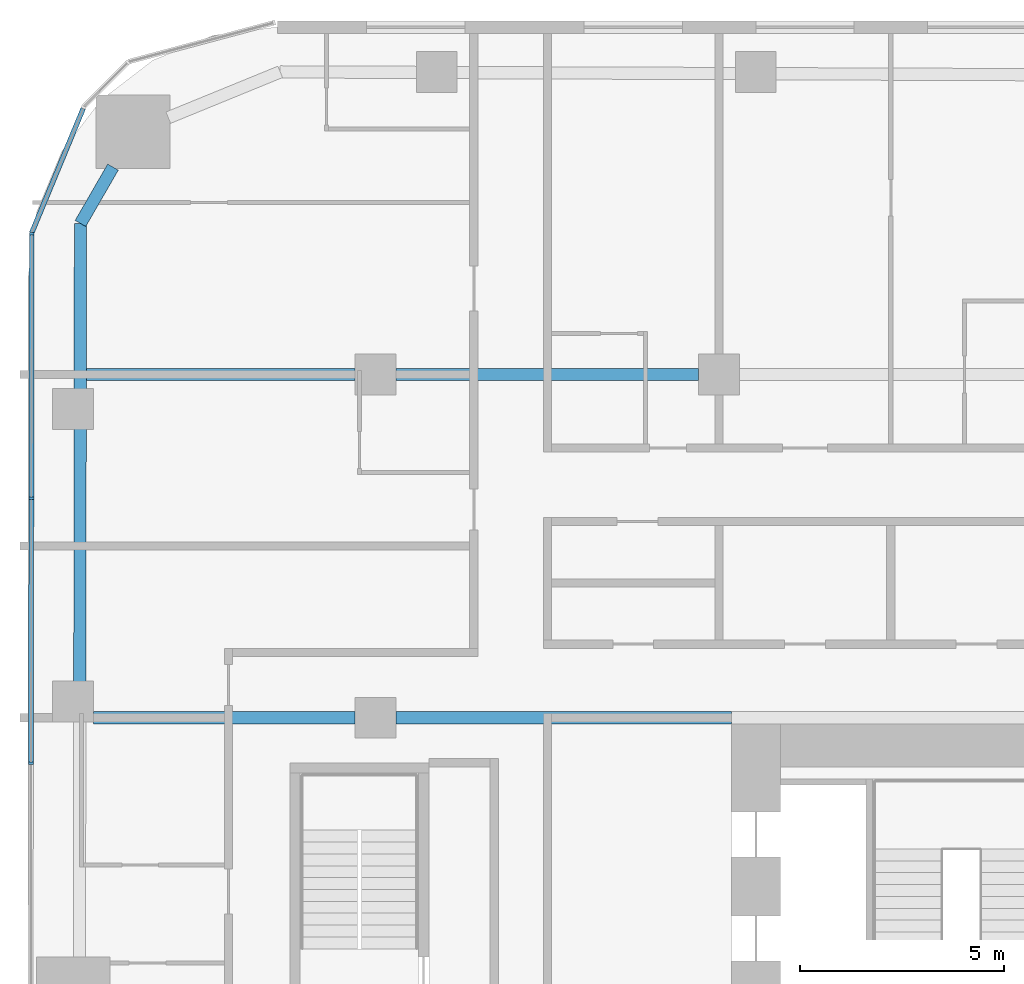
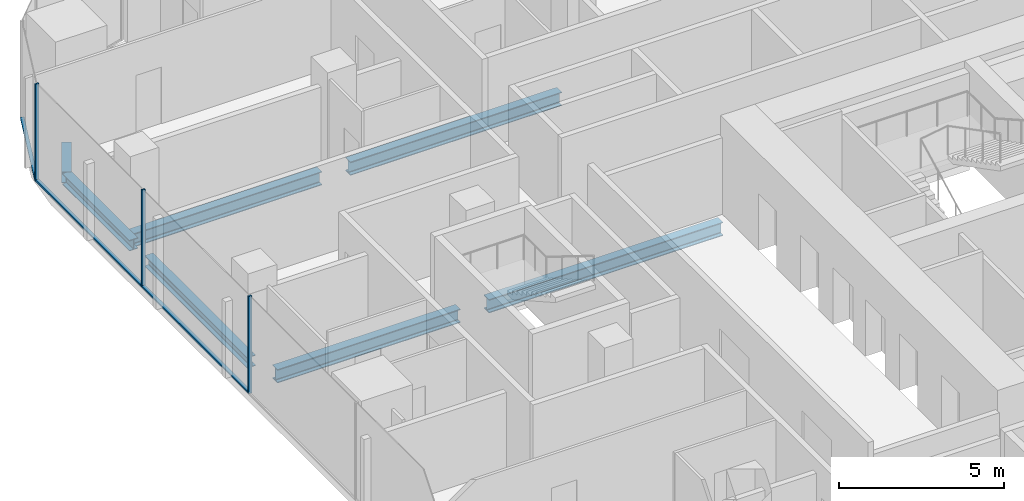
# One storey, part 8 of 26: 7 beams, 6 members, 2 elements without a shape of their own.
"""IFC4 building model written with IfcOpenShell, lengths in metres."""

from ifc_helpers import new_model, si_unit, direction, frame, origin, origin_2d, place, context, subcontext, project, spatial, rectangle, i_section, extrude, material, layer, layer_set, material_profile, profile_set, type_object, element, aggregate, save


model = new_model("IFC4")

# Units and contexts
model_context = context("Model", 3, precision=1e-05, world=origin(), true_north=direction((0.0, 1.0)))
body_context = subcontext(model_context, "Body", "Model", "MODEL_VIEW")
ifc_project = project(units=[si_unit("LENGTHUNIT", "METRE"), si_unit("AREAUNIT", "SQUARE_METRE"), si_unit("VOLUMEUNIT", "CUBIC_METRE"), si_unit("PLANEANGLEUNIT", "RADIAN"), si_unit("MASSUNIT", "GRAM", prefix="KILO")], contexts=[model_context])

# Site, building, storey
site_placement = place(None, origin())
site = spatial("IfcSite", under=ifc_project, at=site_placement, CompositionType="ELEMENT")
building_placement = place(site_placement, origin())
building = spatial("IfcBuilding", under=site, at=building_placement, Name="Marenta Gate Hotel Tower", CompositionType="ELEMENT")
storey_placement = place(building_placement, frame((0.0, 0.0, 72.5)))
storey = spatial("IfcBuildingStorey", under=building, at=storey_placement, Name="L16", CompositionType="ELEMENT", Elevation=72.5)

# Beams
ifc_material_1 = material(Name="Steel S355", Category="steel")
ifc_material_profile_1 = material_profile(ifc_material_1, i_section(OverallWidth=0.300048828125, OverallDepth=0.39990234375, WebThickness=0.013427734375, FlangeThickness=0.02392578125, FilletRadius=0.027099609375, at=origin_2d()), Name="HEB 400")
ifc_profile_set_1 = profile_set([ifc_material_profile_1], Name="Steel S355")
beam_type_1 = type_object("IfcBeamType", Name="Edge beam HEB 400", PredefinedType="SPANDREL", material=ifc_profile_set_1)
beam_1_placement = place(storey_placement, frame((-28.23681640625, 17.6630859375, -0.4599609375), z_axis=(0.001370827476, 0.999999060416, 0.0), x_axis=(-0.999999060416, 0.001370827476, 0.0)))
element("IfcBeam", 1, at=beam_1_placement, inside=storey, type_object=beam_type_1, Name="L16-EB-9", PredefinedType="SPANDREL", context=body_context, shape_type="SweptSolid", body=[
    extrude(i_section(OverallWidth=0.300048828125, OverallDepth=0.39990234375, WebThickness=0.013427734375, FlangeThickness=0.02392578125, FilletRadius=0.027099609375, at=origin_2d()), origin(), (0.0, 0.0, 1.0), 6.2333984375),
])
beam_2_placement = place(storey_placement, frame((-28.22705078125, 24.81640625, -0.4599609375), z_axis=(0.001377821732, 0.999999050803, 0.0), x_axis=(-0.999999050803, 0.001377821732, 0.0)))
element("IfcBeam", 2, at=beam_2_placement, inside=storey, type_object=beam_type_1, Name="L16-EB-10", PredefinedType="SPANDREL", context=body_context, shape_type="SweptSolid", body=[
    extrude(i_section(OverallWidth=0.300048828125, OverallDepth=0.39990234375, WebThickness=0.013427734375, FlangeThickness=0.02392578125, FilletRadius=0.027099609375, at=origin_2d()), origin(), (0.0, 0.0, 1.0), 4.075439453125),
])
beam_3_placement = place(storey_placement, frame((-28.221435546875, 28.891845703125, -0.4599609375), z_axis=(0.500098681536, 0.865968422476, 0.0), x_axis=(-0.865968422476, 0.500098681536, 0.0)))
element("IfcBeam", 3, at=beam_3_placement, inside=storey, type_object=beam_type_1, Name="L16-EB-11", PredefinedType="SPANDREL", context=body_context, shape_type="SweptSolid", body=[
    extrude(i_section(OverallWidth=0.300048828125, OverallDepth=0.39990234375, WebThickness=0.013427734375, FlangeThickness=0.02392578125, FilletRadius=0.027099609375, at=origin_2d()), origin(), (0.0, 0.0, 1.0), 1.591552734375),
])
ifc_material_2 = material(Name="Steel S355", Category="steel")
ifc_material_profile_2 = material_profile(ifc_material_2, i_section(OverallWidth=0.300048828125, OverallDepth=0.5, WebThickness=0.014404296875, FlangeThickness=0.028076171875, FilletRadius=0.027099609375, at=origin_2d()), Name="HEB 500")
ifc_profile_set_2 = profile_set([ifc_material_profile_2], Name="Steel S355")
beam_type_2 = type_object("IfcBeamType", Name="Girder HEB 500", PredefinedType="BEAM", material=ifc_profile_set_2)
beam_4_placement = place(storey_placement, frame((-27.89990234375, 16.800048828125, -0.510009765625), z_axis=(1.0, 0.0, 0.0), x_axis=(0.0, 1.0, 0.0)))
element("IfcBeam", 4, at=beam_4_placement, inside=storey, type_object=beam_type_2, Name="L16-GD-17", PredefinedType="BEAM", context=body_context, shape_type="SweptSolid", body=[
    extrude(i_section(OverallWidth=0.300048828125, OverallDepth=0.5, WebThickness=0.014404296875, FlangeThickness=0.028076171875, FilletRadius=0.027099609375, at=origin_2d()), origin(), (0.0, 0.0, 1.0), 6.39990234375),
])
beam_5_placement = place(storey_placement, frame((-20.5, 16.800048828125, -0.510009765625), z_axis=(1.0, 0.0, 0.0), x_axis=(0.0, 1.0, 0.0)))
element("IfcBeam", 5, at=beam_5_placement, inside=storey, type_object=beam_type_2, Name="L16-GD-18", PredefinedType="BEAM", context=body_context, shape_type="SweptSolid", body=[
    extrude(i_section(OverallWidth=0.300048828125, OverallDepth=0.5, WebThickness=0.014404296875, FlangeThickness=0.028076171875, FilletRadius=0.027099609375, at=origin_2d()), origin(), (0.0, 0.0, 1.0), 8.199951171875),
])
beam_6_placement = place(storey_placement, frame((-28.076416015625, 25.199951171875, -0.510009765625), z_axis=(1.0, 0.0, 0.0), x_axis=(0.0, 1.0, 0.0)))
element("IfcBeam", 6, at=beam_6_placement, inside=storey, type_object=beam_type_2, Name="L16-GD-22", PredefinedType="BEAM", context=body_context, shape_type="SweptSolid", body=[
    extrude(i_section(OverallWidth=0.300048828125, OverallDepth=0.5, WebThickness=0.014404296875, FlangeThickness=0.028076171875, FilletRadius=0.027099609375, at=origin_2d()), origin(), (0.0, 0.0, 1.0), 6.576416015625),
])
beam_7_placement = place(storey_placement, frame((-20.5, 25.199951171875, -0.510009765625), z_axis=(1.0, 0.0, 0.0), x_axis=(0.0, 1.0, 0.0)))
element("IfcBeam", 7, at=beam_7_placement, inside=storey, type_object=beam_type_2, Name="L16-GD-23", PredefinedType="BEAM", context=body_context, shape_type="SweptSolid", body=[
    extrude(i_section(OverallWidth=0.300048828125, OverallDepth=0.5, WebThickness=0.014404296875, FlangeThickness=0.028076171875, FilletRadius=0.027099609375, at=origin_2d()), origin(), (0.0, 0.0, 1.0), 7.39990234375),
])

# Curtain wall, members
ifc_material_3 = material(Name="Tinted insulated glass in bronze anodised frame", Category="glass")
ifc_layer = layer(ifc_material_3, 0.1201171875)
ifc_layer_set = layer_set([ifc_layer], Name="Tinted insulated glass in bronze anodised frame")
curtain_wall_type = type_object("IfcCurtainWallType", Name="Tower unitised curtain wall CW1", PredefinedType="NOTDEFINED", material=ifc_layer_set)
curtain_wall_1_placement = place(storey_placement, origin())
curtain_wall_1 = element("IfcCurtainWall", 8, at=curtain_wall_1_placement, inside=storey, type_object=curtain_wall_type, Name="CW1 run G03", PredefinedType="NOTDEFINED")
ifc_material_4 = material(Name="Bronze anodised aluminium", Category="aluminium")
ifc_material_profile_3 = material_profile(ifc_material_4, rectangle(XDim=0.1201171875, YDim=0.06005859375, at=origin_2d()), Name="Mullion CW1 60x120 bronze anodised aluminium")
ifc_profile_set_3 = profile_set([ifc_material_profile_3], Name="Bronze anodised aluminium")
member_type_1 = type_object("IfcMemberType", Name="Mullion CW1 60x120 bronze anodised aluminium", PredefinedType="MULLION", material=ifc_profile_set_3)
member_1_placement = place(storey_placement, frame((-29.412353515625, 28.63623046875, 0.0), z_axis=(0.0, 0.0, 1.0), x_axis=(0.99999877316, -0.00156642217, 0.0)))
member_1 = element("IfcMember", 9, at=member_1_placement, type_object=member_type_1, Name="CW1 mullion 1", PredefinedType="MULLION", context=body_context, shape_type="SweptSolid", body=[
    extrude(rectangle(XDim=0.1201171875, YDim=0.06005859375, at=origin_2d()), origin(), (0.0, 0.0, 1.0), 3.60009765625),
])
member_2_placement = place(storey_placement, frame((-29.42236328125, 22.17578125, 0.0), z_axis=(0.0, 0.0, 1.0), x_axis=(0.99999877316, -0.00156642217, 0.0)))
member_2 = element("IfcMember", 10, at=member_2_placement, type_object=member_type_1, Name="CW1 mullion 2", PredefinedType="MULLION", context=body_context, shape_type="SweptSolid", body=[
    extrude(rectangle(XDim=0.1201171875, YDim=0.06005859375, at=origin_2d()), origin(), (0.0, 0.0, 1.0), 3.60009765625),
])
member_3_placement = place(storey_placement, frame((-29.4326171875, 15.685546875, 0.0), z_axis=(0.0, 0.0, 1.0), x_axis=(0.99999877316, -0.00156642217, 0.0)))
member_3 = element("IfcMember", 11, at=member_3_placement, type_object=member_type_1, Name="CW1 mullion 3", PredefinedType="MULLION", context=body_context, shape_type="SweptSolid", body=[
    extrude(rectangle(XDim=0.1201171875, YDim=0.06005859375, at=origin_2d()), origin(), (0.0, 0.0, 1.0), 3.60009765625),
])

# Curtain wall, member
curtain_wall_2_placement = place(storey_placement, origin())
curtain_wall_2 = element("IfcCurtainWall", 12, at=curtain_wall_2_placement, inside=storey, type_object=curtain_wall_type, Name="CW1 run G02", PredefinedType="NOTDEFINED")
ifc_material_5 = material(Name="Bronze anodised aluminium", Category="aluminium")
ifc_material_profile_4 = material_profile(ifc_material_5, rectangle(XDim=0.1201171875, YDim=0.06005859375, at=origin_2d()), Name="Transom CW1 60x120 bronze anodised aluminium")
ifc_profile_set_4 = profile_set([ifc_material_profile_4], Name="Bronze anodised aluminium")
member_type_2 = type_object("IfcMemberType", Name="Transom CW1 60x120 bronze anodised aluminium", PredefinedType="USERDEFINED", material=ifc_profile_set_4)
member_4_placement = place(storey_placement, frame((-28.15380859375, 31.704345703125, 0.030029296875), z_axis=(-0.382716791654, -0.923865713936, 0.0), x_axis=(0.923865713936, -0.382716791654, 0.0)))
member_4 = element("IfcMember", 13, at=member_4_placement, type_object=member_type_2, Name="CW1 transom 1.1", ObjectType="TRANSOM", PredefinedType="USERDEFINED", context=body_context, shape_type="SweptSolid", body=[
    extrude(rectangle(XDim=0.1201171875, YDim=0.06005859375, at=origin_2d()), origin(), (0.0, 0.0, 1.0), 3.288330078125),
])
aggregate(curtain_wall_2, [member_4])

# Member
member_5_placement = place(storey_placement, frame((-29.412353515625, 28.606201171875, 0.030029296875), z_axis=(-0.001563928512, -0.999998777063, 0.0), x_axis=(0.999998777063, -0.001563928512, 0.0)))
member_5 = element("IfcMember", 14, at=member_5_placement, type_object=member_type_2, Name="CW1 transom 1.1", ObjectType="TRANSOM", PredefinedType="USERDEFINED", context=body_context, shape_type="SweptSolid", body=[
    extrude(rectangle(XDim=0.1201171875, YDim=0.06005859375, at=origin_2d()), origin(), (0.0, 0.0, 1.0), 6.400390625),
])

member_6_placement = place(storey_placement, frame((-29.422607421875, 22.145751953125, 0.030029296875), z_axis=(-0.001556684271, -0.999998788366, 0.0), x_axis=(0.999998788366, -0.001556684271, 0.0)))
member_6 = element("IfcMember", 15, at=member_6_placement, type_object=member_type_2, Name="CW1 transom 2.1", ObjectType="TRANSOM", PredefinedType="USERDEFINED", context=body_context, shape_type="SweptSolid", body=[
    extrude(rectangle(XDim=0.1201171875, YDim=0.06005859375, at=origin_2d()), origin(), (0.0, 0.0, 1.0), 6.43017578125),
])

aggregate(curtain_wall_1, [member_1, member_2, member_3, member_5, member_6])

save(model, "model.ifc")
